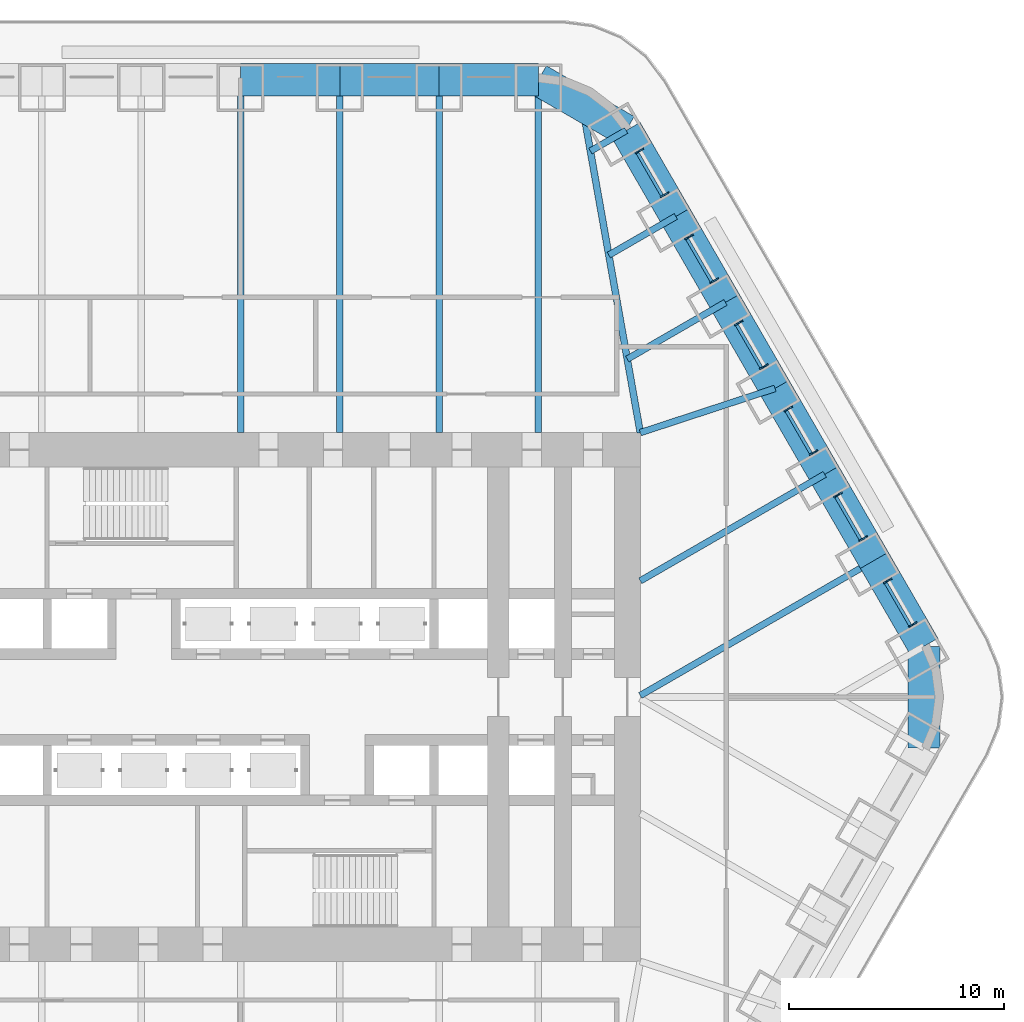
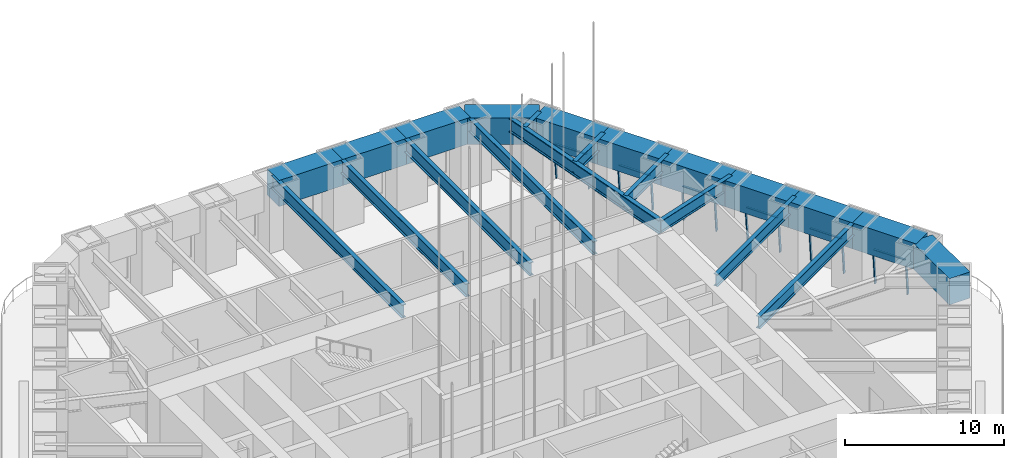
# One storey, part 5 of 15: 22 beams, 18 members, 6 elements without a shape of their own.
"""IFC4 building model written with IfcOpenShell, lengths in metres."""

from ifc_helpers import new_model, si_unit, direction, frame, origin, origin_2d, place, context, subcontext, project, spatial, rectangle, i_section, extrude, material, material_profile, profile_set, type_object, element, aggregate, save


model = new_model("IFC4")

# Units and contexts
model_context = context("Model", 3, precision=1e-05, world=origin(), true_north=direction((0.0, 1.0)))
body_context = subcontext(model_context, "Body", "Model", "MODEL_VIEW")
ifc_project = project(units=[si_unit("LENGTHUNIT", "METRE"), si_unit("AREAUNIT", "SQUARE_METRE"), si_unit("VOLUMEUNIT", "CUBIC_METRE"), si_unit("PLANEANGLEUNIT", "RADIAN"), si_unit("MASSUNIT", "GRAM", prefix="KILO")], contexts=[model_context])

# Site, building, storey
site_placement = place(None, origin())
site = spatial("IfcSite", under=ifc_project, at=site_placement, CompositionType="ELEMENT")
building_placement = place(site_placement, origin())
building = spatial("IfcBuilding", under=site, at=building_placement, Name="Tarfa Lantern Tower", CompositionType="ELEMENT")
storey_placement = place(building_placement, frame((0.0, 0.0, 210.5)))
storey = spatial("IfcBuildingStorey", under=building, at=storey_placement, Name="L47", CompositionType="ELEMENT", Elevation=210.5)

# Curtain wall, members
ifc_material_1 = material(Name="Aluminium framed curtain wall", Category="aluminium")
curtain_wall_type = type_object("IfcCurtainWallType", Name="CW5 CANTED GLAZING SKY LOBBY 2800", PredefinedType="USERDEFINED", material=ifc_material_1)
curtain_wall_1_placement = place(storey_placement, origin())
curtain_wall_1 = element("IfcCurtainWall", 1, at=curtain_wall_1_placement, inside=storey, type_object=curtain_wall_type, Name="CW5 NE L47", ObjectType="CURTAIN WALL", PredefinedType="USERDEFINED")
ifc_material_2 = material(Name="Aluminium mullion", Category="aluminium")
ifc_material_profile_1 = material_profile(ifc_material_2, rectangle(XDim=0.06494140625, YDim=0.199951171875, at=origin_2d()), Name="AL MULLION 65x200")
ifc_profile_set_1 = profile_set([ifc_material_profile_1], Name="Aluminium mullion")
member_type_1 = type_object("IfcMemberType", Name="CWM1 MULLION 65x200", PredefinedType="MULLION", material=ifc_profile_set_1)
member_1_placement = place(storey_placement, frame((31.39013671875, 3.4306640625, 0.0), z_axis=(-0.077032386753, -0.044465143199, 0.996036576854), x_axis=(0.499919672301, -0.866071776036, 0.0)))
member_1 = element("IfcMember", 2, at=member_1_placement, type_object=member_type_1, Name="CW5 mullion 1", PredefinedType="MULLION", context=body_context, shape_type="SweptSolid", body=[
    extrude(rectangle(XDim=0.06494140625, YDim=0.199951171875, at=origin_2d()), origin(), (0.0, 0.0, 1.0), 2.811279296875),
])
member_2_placement = place(storey_placement, frame((30.213134765625, 5.46923828125, 0.0), z_axis=(-0.077032386753, -0.044465143199, 0.996036576854), x_axis=(0.499919672301, -0.866071776036, 0.0)))
member_2 = element("IfcMember", 3, at=member_2_placement, type_object=member_type_1, Name="CW5 mullion 2", PredefinedType="MULLION", context=body_context, shape_type="SweptSolid", body=[
    extrude(rectangle(XDim=0.06494140625, YDim=0.199951171875, at=origin_2d()), origin(), (0.0, 0.0, 1.0), 2.811279296875),
])

curtain_wall_2_placement = place(storey_placement, origin())
curtain_wall_2 = element("IfcCurtainWall", 4, at=curtain_wall_2_placement, inside=storey, type_object=curtain_wall_type, Name="CW5 NE L47", ObjectType="CURTAIN WALL", PredefinedType="USERDEFINED")
member_3_placement = place(storey_placement, frame((29.08056640625, 7.4306640625, 0.0), z_axis=(-0.076946055247, -0.044465440504, 0.996043236603), x_axis=(0.500342721131, -0.865827443207, 0.0)))
member_3 = element("IfcMember", 5, at=member_3_placement, type_object=member_type_1, Name="CW5 mullion 1", PredefinedType="MULLION", context=body_context, shape_type="SweptSolid", body=[
    extrude(rectangle(XDim=0.06494140625, YDim=0.199951171875, at=origin_2d()), origin(), (0.0, 0.0, 1.0), 2.811279296875),
])
member_4_placement = place(storey_placement, frame((27.90380859375, 9.46923828125, 0.0), z_axis=(-0.077032386753, -0.044465143199, 0.996036576854), x_axis=(0.499919672301, -0.866071776036, 0.0)))
member_4 = element("IfcMember", 6, at=member_4_placement, type_object=member_type_1, Name="CW5 mullion 2", PredefinedType="MULLION", context=body_context, shape_type="SweptSolid", body=[
    extrude(rectangle(XDim=0.06494140625, YDim=0.199951171875, at=origin_2d()), origin(), (0.0, 0.0, 1.0), 2.811279296875),
])

curtain_wall_3_placement = place(storey_placement, origin())
curtain_wall_3 = element("IfcCurtainWall", 7, at=curtain_wall_3_placement, inside=storey, type_object=curtain_wall_type, Name="CW5 NE L47", ObjectType="CURTAIN WALL", PredefinedType="USERDEFINED")
member_5_placement = place(storey_placement, frame((26.771240234375, 11.4306640625, 0.0), z_axis=(-0.077032386753, -0.044465143199, 0.996036576854), x_axis=(0.499919672301, -0.866071776036, 0.0)))
member_5 = element("IfcMember", 8, at=member_5_placement, type_object=member_type_1, Name="CW5 mullion 1", PredefinedType="MULLION", context=body_context, shape_type="SweptSolid", body=[
    extrude(rectangle(XDim=0.06494140625, YDim=0.199951171875, at=origin_2d()), origin(), (0.0, 0.0, 1.0), 2.811279296875),
])
member_6_placement = place(storey_placement, frame((25.594482421875, 13.46923828125, 0.0), z_axis=(-0.077032386753, -0.044465143199, 0.996036576854), x_axis=(0.499919672301, -0.866071776036, 0.0)))
member_6 = element("IfcMember", 9, at=member_6_placement, type_object=member_type_1, Name="CW5 mullion 2", PredefinedType="MULLION", context=body_context, shape_type="SweptSolid", body=[
    extrude(rectangle(XDim=0.06494140625, YDim=0.199951171875, at=origin_2d()), origin(), (0.0, 0.0, 1.0), 2.811279296875),
])

curtain_wall_4_placement = place(storey_placement, origin())
curtain_wall_4 = element("IfcCurtainWall", 10, at=curtain_wall_4_placement, inside=storey, type_object=curtain_wall_type, Name="CW5 NE L47", ObjectType="CURTAIN WALL", PredefinedType="USERDEFINED")
member_7_placement = place(storey_placement, frame((24.4619140625, 15.4306640625, 0.0), z_axis=(-0.077032386753, -0.044465143199, 0.996036576854), x_axis=(0.499919672301, -0.866071776036, 0.0)))
member_7 = element("IfcMember", 11, at=member_7_placement, type_object=member_type_1, Name="CW5 mullion 1", PredefinedType="MULLION", context=body_context, shape_type="SweptSolid", body=[
    extrude(rectangle(XDim=0.06494140625, YDim=0.199951171875, at=origin_2d()), origin(), (0.0, 0.0, 1.0), 2.811279296875),
])
member_8_placement = place(storey_placement, frame((23.284912109375, 17.46923828125, 0.0), z_axis=(-0.077032386753, -0.044465143199, 0.996036576854), x_axis=(0.499919672301, -0.866071776036, 0.0)))
member_8 = element("IfcMember", 12, at=member_8_placement, type_object=member_type_1, Name="CW5 mullion 2", PredefinedType="MULLION", context=body_context, shape_type="SweptSolid", body=[
    extrude(rectangle(XDim=0.06494140625, YDim=0.199951171875, at=origin_2d()), origin(), (0.0, 0.0, 1.0), 2.811279296875),
])

curtain_wall_5_placement = place(storey_placement, origin())
curtain_wall_5 = element("IfcCurtainWall", 13, at=curtain_wall_5_placement, inside=storey, type_object=curtain_wall_type, Name="CW5 NE L47", ObjectType="CURTAIN WALL", PredefinedType="USERDEFINED")
member_9_placement = place(storey_placement, frame((22.152587890625, 19.4306640625, 0.0), z_axis=(-0.077032386753, -0.044465143199, 0.996036576854), x_axis=(0.499919672301, -0.866071776036, 0.0)))
member_9 = element("IfcMember", 14, at=member_9_placement, type_object=member_type_1, Name="CW5 mullion 1", PredefinedType="MULLION", context=body_context, shape_type="SweptSolid", body=[
    extrude(rectangle(XDim=0.06494140625, YDim=0.199951171875, at=origin_2d()), origin(), (0.0, 0.0, 1.0), 2.811279296875),
])
member_10_placement = place(storey_placement, frame((20.9755859375, 21.46923828125, 0.0), z_axis=(-0.077032386753, -0.044465143199, 0.996036576854), x_axis=(0.499919672301, -0.866071776036, 0.0)))
member_10 = element("IfcMember", 15, at=member_10_placement, type_object=member_type_1, Name="CW5 mullion 2", PredefinedType="MULLION", context=body_context, shape_type="SweptSolid", body=[
    extrude(rectangle(XDim=0.06494140625, YDim=0.199951171875, at=origin_2d()), origin(), (0.0, 0.0, 1.0), 2.811279296875),
])

curtain_wall_6_placement = place(storey_placement, origin())
curtain_wall_6 = element("IfcCurtainWall", 16, at=curtain_wall_6_placement, inside=storey, type_object=curtain_wall_type, Name="CW5 NE L47", ObjectType="CURTAIN WALL", PredefinedType="USERDEFINED")
member_11_placement = place(storey_placement, frame((19.843017578125, 23.4306640625, 0.0), z_axis=(-0.077032386753, -0.044465143199, 0.996036576854), x_axis=(0.499919672301, -0.866071776036, 0.0)))
member_11 = element("IfcMember", 17, at=member_11_placement, type_object=member_type_1, Name="CW5 mullion 1", PredefinedType="MULLION", context=body_context, shape_type="SweptSolid", body=[
    extrude(rectangle(XDim=0.06494140625, YDim=0.199951171875, at=origin_2d()), origin(), (0.0, 0.0, 1.0), 2.811279296875),
])
member_12_placement = place(storey_placement, frame((18.666259765625, 25.46923828125, 0.0), z_axis=(-0.077032386753, -0.044465143199, 0.996036576854), x_axis=(0.499919672301, -0.866071776036, 0.0)))
member_12 = element("IfcMember", 18, at=member_12_placement, type_object=member_type_1, Name="CW5 mullion 2", PredefinedType="MULLION", context=body_context, shape_type="SweptSolid", body=[
    extrude(rectangle(XDim=0.06494140625, YDim=0.199951171875, at=origin_2d()), origin(), (0.0, 0.0, 1.0), 2.811279296875),
])

# Member
ifc_material_3 = material(Name="Aluminium transom", Category="aluminium")
ifc_material_profile_2 = material_profile(ifc_material_3, rectangle(XDim=0.14990234375, YDim=0.06494140625, at=origin_2d()), Name="AL TRANSOM 150x65")
ifc_profile_set_2 = profile_set([ifc_material_profile_2], Name="Aluminium transom")
member_type_2 = type_object("IfcMemberType", Name="CWT1 TRANSOM 150x65", PredefinedType="USERDEFINED", material=ifc_profile_set_2)
member_13_placement = place(storey_placement, frame((31.159912109375, 3.33544921875, 2.767578125), z_axis=(-0.500039451542, 0.866002625228, 0.0), x_axis=(-0.866002625228, -0.500039451542, 0.0)))
member_13 = element("IfcMember", 19, at=member_13_placement, type_object=member_type_2, Name="CW5 transom 1.2", ObjectType="TRANSOM", PredefinedType="USERDEFINED", context=body_context, shape_type="SweptSolid", body=[
    extrude(rectangle(XDim=0.14990234375, YDim=0.06494140625, at=origin_2d()), origin(), (0.0, 0.0, 1.0), 2.288818359375),
])

aggregate(curtain_wall_1, [member_1, member_2, member_13])

member_14_placement = place(storey_placement, frame((28.850341796875, 7.33544921875, 2.767578125), z_axis=(-0.499959451571, 0.866048813165, 0.0), x_axis=(-0.866048813165, -0.499959451571, 0.0)))
member_14 = element("IfcMember", 20, at=member_14_placement, type_object=member_type_2, Name="CW5 transom 1.2", ObjectType="TRANSOM", PredefinedType="USERDEFINED", context=body_context, shape_type="SweptSolid", body=[
    extrude(rectangle(XDim=0.14990234375, YDim=0.06494140625, at=origin_2d()), origin(), (0.0, 0.0, 1.0), 2.288818359375),
])

aggregate(curtain_wall_2, [member_3, member_4, member_14])

member_15_placement = place(storey_placement, frame((26.541015625, 11.33544921875, 2.767578125), z_axis=(-0.499959451571, 0.866048813165, 0.0), x_axis=(-0.866048813165, -0.499959451571, 0.0)))
member_15 = element("IfcMember", 21, at=member_15_placement, type_object=member_type_2, Name="CW5 transom 1.2", ObjectType="TRANSOM", PredefinedType="USERDEFINED", context=body_context, shape_type="SweptSolid", body=[
    extrude(rectangle(XDim=0.14990234375, YDim=0.06494140625, at=origin_2d()), origin(), (0.0, 0.0, 1.0), 2.288818359375),
])

aggregate(curtain_wall_3, [member_5, member_6, member_15])

member_16_placement = place(storey_placement, frame((24.231689453125, 15.33544921875, 2.767578125), z_axis=(-0.500039451542, 0.866002625228, 0.0), x_axis=(-0.866002625228, -0.500039451542, 0.0)))
member_16 = element("IfcMember", 22, at=member_16_placement, type_object=member_type_2, Name="CW5 transom 1.2", ObjectType="TRANSOM", PredefinedType="USERDEFINED", context=body_context, shape_type="SweptSolid", body=[
    extrude(rectangle(XDim=0.14990234375, YDim=0.06494140625, at=origin_2d()), origin(), (0.0, 0.0, 1.0), 2.288818359375),
])

aggregate(curtain_wall_4, [member_7, member_8, member_16])

member_17_placement = place(storey_placement, frame((21.922119140625, 19.33544921875, 2.767578125), z_axis=(-0.499959451571, 0.866048813165, 0.0), x_axis=(-0.866048813165, -0.499959451571, 0.0)))
member_17 = element("IfcMember", 23, at=member_17_placement, type_object=member_type_2, Name="CW5 transom 1.2", ObjectType="TRANSOM", PredefinedType="USERDEFINED", context=body_context, shape_type="SweptSolid", body=[
    extrude(rectangle(XDim=0.14990234375, YDim=0.06494140625, at=origin_2d()), origin(), (0.0, 0.0, 1.0), 2.288818359375),
])

aggregate(curtain_wall_5, [member_9, member_10, member_17])

member_18_placement = place(storey_placement, frame((19.61279296875, 23.33544921875, 2.767578125), z_axis=(-0.499959451571, 0.866048813165, 0.0), x_axis=(-0.866048813165, -0.499959451571, 0.0)))
member_18 = element("IfcMember", 24, at=member_18_placement, type_object=member_type_2, Name="CW5 transom 1.2", ObjectType="TRANSOM", PredefinedType="USERDEFINED", context=body_context, shape_type="SweptSolid", body=[
    extrude(rectangle(XDim=0.14990234375, YDim=0.06494140625, at=origin_2d()), origin(), (0.0, 0.0, 1.0), 2.288818359375),
])

aggregate(curtain_wall_6, [member_11, member_12, member_18])

# Beams
ifc_material_4 = material(Name="Concrete C80/95", Category="concrete")
ifc_material_profile_3 = material_profile(ifc_material_4, rectangle(XDim=1.5, YDim=2.0, at=origin_2d()), Name="RC 1500x2000")
ifc_profile_set_3 = profile_set([ifc_material_profile_3], Name="Concrete C80/95")
beam_type_1 = type_object("IfcBeamType", Name="RB3 RC 1500x2000", PredefinedType="BEAM", material=ifc_profile_set_3)
beam_1_placement = place(storey_placement, frame((31.800537109375, 2.360107421875, 3.800048828125), z_axis=(-0.500027479704, 0.866009537788, 0.0), x_axis=(-0.866009537788, -0.500027479704, 0.0)))
element("IfcBeam", 25, at=beam_1_placement, inside=storey, type_object=beam_type_1, Name="Edge beam NE0", PredefinedType="BEAM", context=body_context, shape_type="SweptSolid", body=[
    extrude(rectangle(XDim=1.5, YDim=2.0, at=origin_2d()), origin(), (0.0, 0.0, 1.0), 4.618896484375),
])
for number, where, z_axis, x_axis, name in (
    (26, (29.490966796875, 6.360107421875, 3.800048828125), (-0.499987836815, 0.866032426089, 0.0), (-0.866032426089, -0.499987836815, 0.0), "Edge beam NE1"),
    (27, (27.181640625, 10.360107421875, 3.800048828125), (-0.499987836815, 0.866032426089, 0.0), (-0.866032426089, -0.499987836815, 0.0), "Edge beam NE2"),
):
    element("IfcBeam", number, at=place(storey_placement, frame(where, z_axis=z_axis, x_axis=x_axis)), inside=storey, type_object=beam_type_1, Name=name, PredefinedType="BEAM", context=body_context, shape_type="SweptSolid", body=[
        extrude(rectangle(XDim=1.5, YDim=2.0, at=origin_2d()), origin(), (0.0, 0.0, 1.0), 4.61865234375),
    ])
beam_2_placement = place(storey_placement, frame((24.872314453125, 14.360107421875, 3.800048828125), z_axis=(-0.500027479704, 0.866009537788, 0.0), x_axis=(-0.866009537788, -0.500027479704, 0.0)))
element("IfcBeam", 28, at=beam_2_placement, inside=storey, type_object=beam_type_1, Name="Edge beam NE3", PredefinedType="BEAM", context=body_context, shape_type="SweptSolid", body=[
    extrude(rectangle(XDim=1.5, YDim=2.0, at=origin_2d()), origin(), (0.0, 0.0, 1.0), 4.618896484375),
])
for number, where, z_axis, x_axis, name in (
    (29, (22.562744140625, 18.360107421875, 3.800048828125), (-0.499987836815, 0.866032426089, 0.0), (-0.866032426089, -0.499987836815, 0.0), "Edge beam NE4"),
    (30, (20.25341796875, 22.360107421875, 3.800048828125), (-0.499987836815, 0.866032426089, 0.0), (-0.866032426089, -0.499987836815, 0.0), "Edge beam NE5"),
):
    element("IfcBeam", number, at=place(storey_placement, frame(where, z_axis=z_axis, x_axis=x_axis)), inside=storey, type_object=beam_type_1, Name=name, PredefinedType="BEAM", context=body_context, shape_type="SweptSolid", body=[
        extrude(rectangle(XDim=1.5, YDim=2.0, at=origin_2d()), origin(), (0.0, 0.0, 1.0), 4.61865234375),
    ])
beam_3_placement = place(storey_placement, frame((17.944091796875, 26.360107421875, 3.800048828125), z_axis=(-0.866038294681, 0.499977671647, 0.0), x_axis=(-0.499977671647, -0.866038294681, 0.0)))
element("IfcBeam", 31, at=beam_3_placement, inside=storey, type_object=beam_type_1, Name="Edge beam NE6", PredefinedType="BEAM", context=body_context, shape_type="SweptSolid", body=[
    extrude(rectangle(XDim=1.5, YDim=2.0, at=origin_2d()), origin(), (0.0, 0.0, 1.0), 4.719970703125),
])
beam_4_placement = place(storey_placement, frame((13.8564453125, 28.719970703125, 3.800048828125), z_axis=(-1.0, 0.0, 0.0), x_axis=(0.0, -1.0, 0.0)))
element("IfcBeam", 32, at=beam_4_placement, inside=storey, type_object=beam_type_1, Name="Edge beam N0", PredefinedType="BEAM", context=body_context, shape_type="SweptSolid", body=[
    extrude(rectangle(XDim=1.5, YDim=2.0, at=origin_2d()), origin(), (0.0, 0.0, 1.0), 4.618896484375),
])
beam_5_placement = place(storey_placement, frame((9.237548828125, 28.719970703125, 3.800048828125), z_axis=(-1.0, 0.0, 0.0), x_axis=(0.0, -1.0, 0.0)))
element("IfcBeam", 33, at=beam_5_placement, inside=storey, type_object=beam_type_1, Name="Edge beam N1", PredefinedType="BEAM", context=body_context, shape_type="SweptSolid", body=[
    extrude(rectangle(XDim=1.5, YDim=2.0, at=origin_2d()), origin(), (0.0, 0.0, 1.0), 4.61865234375),
])
beam_6_placement = place(storey_placement, frame((4.618896484375, 28.719970703125, 3.800048828125), z_axis=(-1.0, 0.0, 0.0), x_axis=(0.0, -1.0, 0.0)))
element("IfcBeam", 34, at=beam_6_placement, inside=storey, type_object=beam_type_1, Name="Edge beam N2", PredefinedType="BEAM", context=body_context, shape_type="SweptSolid", body=[
    extrude(rectangle(XDim=1.5, YDim=2.0, at=origin_2d()), origin(), (0.0, 0.0, 1.0), 4.618896484375),
])
beam_7_placement = place(storey_placement, frame((31.800537109375, -2.360107421875, 3.800048828125), z_axis=(0.0, 1.0, 0.0), x_axis=(-1.0, 0.0, 0.0)))
element("IfcBeam", 35, at=beam_7_placement, inside=storey, type_object=beam_type_1, Name="Edge beam SE6", PredefinedType="BEAM", context=body_context, shape_type="SweptSolid", body=[
    extrude(rectangle(XDim=1.5, YDim=2.0, at=origin_2d()), origin(), (0.0, 0.0, 1.0), 4.72021484375),
])
ifc_material_5 = material(Name="Steel S460M", Category="steel")
ifc_material_profile_4 = material_profile(ifc_material_5, i_section(OverallWidth=0.302001953125, OverallDepth=1.008056640625, WebThickness=0.02099609375, FlangeThickness=0.0400390625, FilletRadius=0.030029296875, at=origin_2d()), Name="UB1016x305x349")
ifc_profile_set_4 = profile_set([ifc_material_profile_4], Name="Steel S460M")
beam_type_2 = type_object("IfcBeamType", Name="UB1016x305x349", PredefinedType="BEAM", material=ifc_profile_set_4)
for number, where, z_axis, x_axis, name in (
    (36, (13.8564453125, 28.719970703125, 4.2958984375), (0.0, -1.0, 0.0), (1.0, 0.0, 0.0), "Floor beam N0"),
    (37, (9.237548828125, 28.719970703125, 4.2958984375), (0.0, -1.0, 0.0), (1.0, 0.0, 0.0), "Floor beam N1"),
    (38, (4.618896484375, 28.719970703125, 4.2958984375), (0.0, -1.0, 0.0), (1.0, 0.0, 0.0), "Floor beam N2"),
    (39, (0.0, 28.719970703125, 4.2958984375), (0.0, -1.0, 0.0), (1.0, 0.0, 0.0), "Floor beam N3"),
):
    element("IfcBeam", number, at=place(storey_placement, frame(where, z_axis=z_axis, x_axis=x_axis)), inside=storey, type_object=beam_type_2, Name=name, PredefinedType="BEAM", context=body_context, shape_type="SweptSolid", body=[
        extrude(i_section(OverallWidth=0.302001953125, OverallDepth=1.008056640625, WebThickness=0.02099609375, FlangeThickness=0.0400390625, FilletRadius=0.030029296875, at=origin_2d()), origin(), (0.0, 0.0, 1.0), 16.419921875),
    ])
ifc_material_profile_5 = material_profile(ifc_material_5, i_section(OverallWidth=0.314208984375, OverallDepth=1.055908203125, WebThickness=0.035888671875, FlangeThickness=0.06396484375, FilletRadius=0.030029296875, at=origin_2d()), Name="UB1016x305x584")
ifc_profile_set_5 = profile_set([ifc_material_profile_5], Name="Steel S460M")
beam_type_3 = type_object("IfcBeamType", Name="UB1016x305x584", PredefinedType="BEAM", material=ifc_profile_set_5)
beam_8_placement = place(storey_placement, frame((18.60009765625, 12.300048828125, 4.27197265625), z_axis=(-0.174445795648, 0.984666778347, 0.0), x_axis=(-0.984666778347, -0.174445795648, 0.0)))
element("IfcBeam", 40, at=beam_8_placement, inside=storey, type_object=beam_type_3, Name="Hip girder NE", PredefinedType="BEAM", context=body_context, shape_type="SweptSolid", body=[
    extrude(i_section(OverallWidth=0.314208984375, OverallDepth=1.055908203125, WebThickness=0.035888671875, FlangeThickness=0.06396484375, FilletRadius=0.030029296875, at=origin_2d()), origin(), (0.0, 0.0, 1.0), 15.477294921875),
])
ifc_material_profile_6 = material_profile(ifc_material_5, i_section(OverallWidth=0.305419921875, OverallDepth=0.91845703125, WebThickness=0.017333984375, FlangeThickness=0.02783203125, FilletRadius=0.01904296875, at=origin_2d()), Name="UB914x305x253")
ifc_profile_set_6 = profile_set([ifc_material_profile_6], Name="Steel S460M")
beam_type_4 = type_object("IfcBeamType", Name="UB914x305x253", PredefinedType="BEAM", material=ifc_profile_set_6)
beam_9_placement = place(storey_placement, frame((29.490966796875, 6.360107421875, 4.3408203125), z_axis=(-0.866017150015, -0.500014295675, 0.0), x_axis=(0.500014295675, -0.866017150015, 0.0)))
element("IfcBeam", 41, at=beam_9_placement, inside=storey, type_object=beam_type_4, Name="Floor beam NE1", PredefinedType="BEAM", context=body_context, shape_type="SweptSolid", body=[
    extrude(i_section(OverallWidth=0.305419921875, OverallDepth=0.91845703125, WebThickness=0.017333984375, FlangeThickness=0.02783203125, FilletRadius=0.01904296875, at=origin_2d()), origin(), (0.0, 0.0, 1.0), 12.575927734375),
])
beam_10_placement = place(storey_placement, frame((27.181640625, 10.360107421875, 4.3408203125), z_axis=(-0.866013262469, -0.500021028785, 0.0), x_axis=(0.500021028785, -0.866013262469, 0.0)))
element("IfcBeam", 42, at=beam_10_placement, inside=storey, type_object=beam_type_4, Name="Floor beam NE2", PredefinedType="BEAM", context=body_context, shape_type="SweptSolid", body=[
    extrude(i_section(OverallWidth=0.305419921875, OverallDepth=0.91845703125, WebThickness=0.017333984375, FlangeThickness=0.02783203125, FilletRadius=0.01904296875, at=origin_2d()), origin(), (0.0, 0.0, 1.0), 9.9091796875),
])
beam_11_placement = place(storey_placement, frame((24.872314453125, 14.360107421875, 4.3408203125), z_axis=(-0.950068246314, -0.312042188408, 0.0), x_axis=(0.312042188408, -0.950068246314, 0.0)))
element("IfcBeam", 43, at=beam_11_placement, inside=storey, type_object=beam_type_4, Name="Floor beam NE3", PredefinedType="BEAM", context=body_context, shape_type="SweptSolid", body=[
    extrude(i_section(OverallWidth=0.305419921875, OverallDepth=0.91845703125, WebThickness=0.017333984375, FlangeThickness=0.02783203125, FilletRadius=0.01904296875, at=origin_2d()), origin(), (0.0, 0.0, 1.0), 6.601806640625),
])
beam_12_placement = place(storey_placement, frame((22.562744140625, 18.360107421875, 4.3408203125), z_axis=(-0.866016044516, -0.500016210377, 0.0), x_axis=(0.500016210377, -0.866016044516, 0.0)))
element("IfcBeam", 44, at=beam_12_placement, inside=storey, type_object=beam_type_4, Name="Floor beam NE4", PredefinedType="BEAM", context=body_context, shape_type="SweptSolid", body=[
    extrude(i_section(OverallWidth=0.305419921875, OverallDepth=0.91845703125, WebThickness=0.017333984375, FlangeThickness=0.02783203125, FilletRadius=0.01904296875, at=origin_2d()), origin(), (0.0, 0.0, 1.0), 5.275634765625),
])
beam_13_placement = place(storey_placement, frame((20.25341796875, 22.360107421875, 4.3408203125), z_axis=(-0.866009351323, -0.500027802648, 0.0), x_axis=(0.500027802648, -0.866009351323, 0.0)))
element("IfcBeam", 45, at=beam_13_placement, inside=storey, type_object=beam_type_4, Name="Floor beam NE5", PredefinedType="BEAM", context=body_context, shape_type="SweptSolid", body=[
    extrude(i_section(OverallWidth=0.305419921875, OverallDepth=0.91845703125, WebThickness=0.017333984375, FlangeThickness=0.02783203125, FilletRadius=0.01904296875, at=origin_2d()), origin(), (0.0, 0.0, 1.0), 3.598876953125),
])
beam_14_placement = place(storey_placement, frame((17.944091796875, 26.360107421875, 4.3408203125), z_axis=(-0.865990979626, -0.500059619652, 0.0), x_axis=(0.500059619652, -0.865990979626, 0.0)))
element("IfcBeam", 46, at=beam_14_placement, inside=storey, type_object=beam_type_4, Name="Floor beam NE6", PredefinedType="BEAM", context=body_context, shape_type="SweptSolid", body=[
    extrude(i_section(OverallWidth=0.305419921875, OverallDepth=0.91845703125, WebThickness=0.017333984375, FlangeThickness=0.02783203125, FilletRadius=0.01904296875, at=origin_2d()), origin(), (0.0, 0.0, 1.0), 1.922119140625),
])

save(model, "model.ifc")
